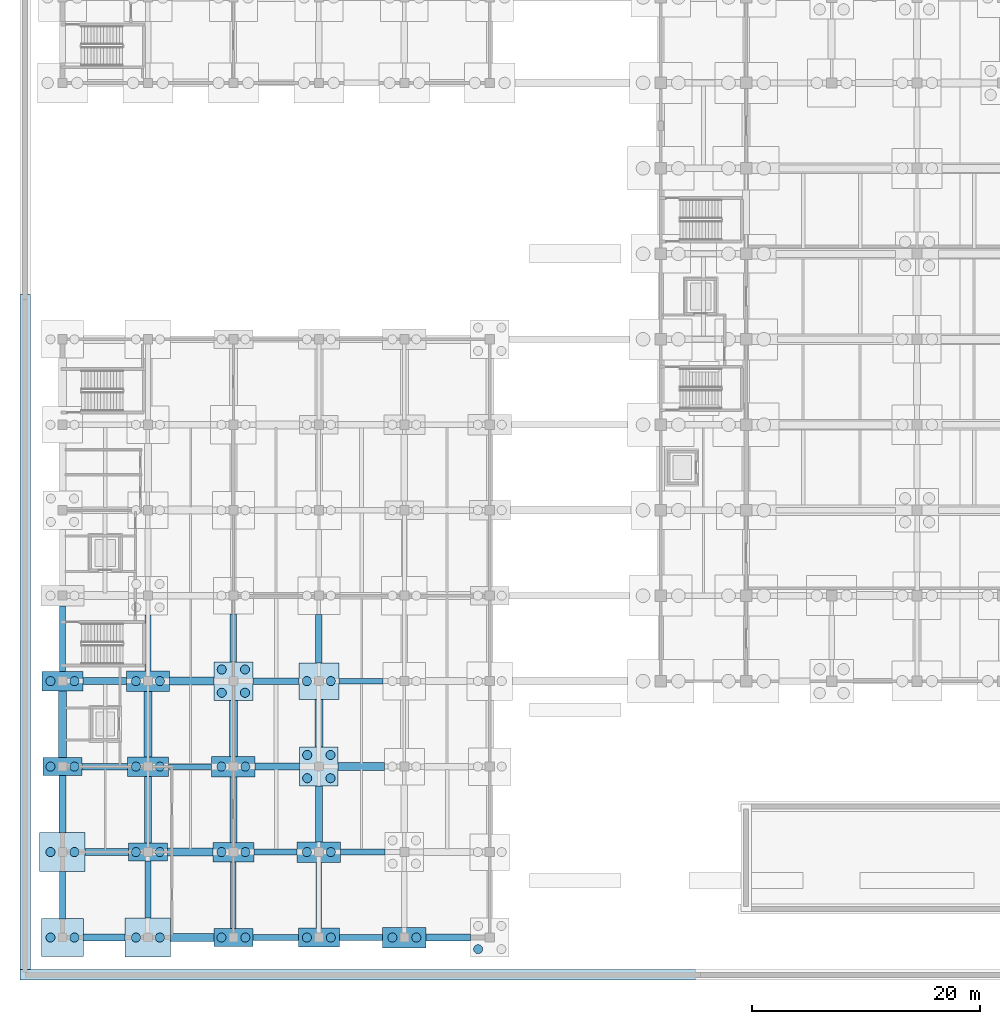
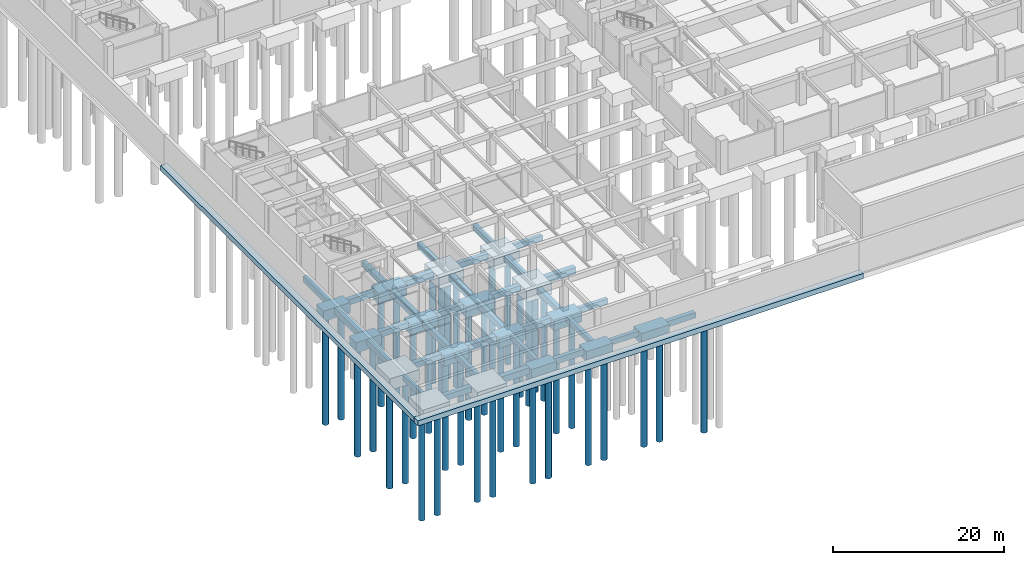
# One storey, part 1 of 38: 52 footings, 39 piles.
"""IFC4 building model written with IfcOpenShell, lengths in metres."""

from ifc_helpers import new_model, si_unit, direction, frame, origin, origin_2d, place, context, subcontext, project, spatial, polyline, rectangle, circle, outline, extrude, material, material_profile, profile_set, type_object, element, save


model = new_model("IFC4")

# Units and contexts
model_context = context("Model", 3, precision=1e-05, world=origin(), true_north=direction((0.0, 1.0)))
body_context = subcontext(model_context, "Body", "Model", "MODEL_VIEW")
ifc_project = project(units=[si_unit("LENGTHUNIT", "METRE"), si_unit("AREAUNIT", "SQUARE_METRE"), si_unit("VOLUMEUNIT", "CUBIC_METRE"), si_unit("PLANEANGLEUNIT", "RADIAN"), si_unit("MASSUNIT", "GRAM", prefix="KILO")], contexts=[model_context])

# Site, building, storey
site_placement = place(None, origin())
site = spatial("IfcSite", under=ifc_project, at=site_placement, CompositionType="ELEMENT")
building_placement = place(site_placement, origin())
building = spatial("IfcBuilding", under=site, at=building_placement, Name="Qasida Concert Hall", CompositionType="ELEMENT")
storey_placement = place(building_placement, frame((0.0, 0.0, -4.800048828125)))
storey = spatial("IfcBuildingStorey", under=building, at=storey_placement, Name="B1", CompositionType="ELEMENT", Elevation=-4.800048828125)

# Footings
ifc_material = material(Name="Concrete C40/50", Category="concrete")
footing_type_1 = type_object("IfcFootingType", Name="FT-GB-1", PredefinedType="FOOTING_BEAM", material=ifc_material)
footing_1_placement = place(storey_placement, frame((0.0, 0.0, -1.169921875)))
element("IfcFooting", 1, at=footing_1_placement, inside=storey, type_object=footing_type_1, Name="Ground tie beam GB-1 004", PredefinedType="FOOTING_BEAM", context=body_context, shape_type="SweptSolid", body=[
    extrude(outline(polyline([(24.300048828125, -0.25), (28.10009765625, -0.25), (28.10009765625, 0.25), (24.300048828125, 0.25), (24.300048828125, -0.25)])), origin(), (0.0, 0.0, 1.0), 0.75),
])
footing_2_placement = place(storey_placement, frame((0.0, 0.0, -1.169921875)))
element("IfcFooting", 2, at=footing_2_placement, inside=storey, type_object=footing_type_1, Name="Ground tie beam GB-1 012", PredefinedType="FOOTING_BEAM", context=body_context, shape_type="SweptSolid", body=[
    extrude(outline(polyline([(24.39990234375, 7.25), (28.300048828125, 7.25), (28.300048828125, 7.75), (24.39990234375, 7.75), (24.39990234375, 7.25)])), origin(), (0.0, 0.0, 1.0), 0.75),
])
footing_3_placement = place(storey_placement, frame((0.0, 0.0, -1.169921875)))
element("IfcFooting", 3, at=footing_3_placement, inside=storey, type_object=footing_type_1, Name="Ground tie beam GB-1 020", PredefinedType="FOOTING_BEAM", context=body_context, shape_type="SweptSolid", body=[
    extrude(outline(polyline([(9.300048828125, 14.75), (13.10009765625, 14.75), (13.10009765625, 15.25), (9.300048828125, 15.25), (9.300048828125, 14.75)])), origin(), (0.0, 0.0, 1.0), 0.75),
])
footing_4_placement = place(storey_placement, frame((0.0, 0.0, -1.169921875)))
element("IfcFooting", 4, at=footing_4_placement, inside=storey, type_object=footing_type_1, Name="Ground tie beam GB-1 032", PredefinedType="FOOTING_BEAM", context=body_context, shape_type="SweptSolid", body=[
    extrude(outline(polyline([(24.25, 22.25), (28.14990234375, 22.25), (28.14990234375, 22.75), (24.25, 22.75), (24.25, 22.25)])), origin(), (0.0, 0.0, 1.0), 0.75),
])
footing_5_placement = place(storey_placement, frame((0.0, 0.0, -1.169921875)))
element("IfcFooting", 5, at=footing_5_placement, inside=storey, type_object=footing_type_1, Name="Ground tie beam GB-1 184", PredefinedType="FOOTING_BEAM", context=body_context, shape_type="SweptSolid", body=[
    extrude(outline(polyline([(-0.25, 1.64990234375), (0.25, 1.64990234375), (0.25, 5.800048828125), (-0.25, 5.800048828125), (-0.25, 1.64990234375)])), origin(), (0.0, 0.0, 1.0), 0.75),
])
footing_6_placement = place(storey_placement, frame((0.0, 0.0, -1.169921875)))
element("IfcFooting", 6, at=footing_6_placement, inside=storey, type_object=footing_type_1, Name="Ground tie beam GB-1 196", PredefinedType="FOOTING_BEAM", context=body_context, shape_type="SweptSolid", body=[
    extrude(outline(polyline([(7.25, 1.699951171875), (7.75, 1.699951171875), (7.75, 6.699951171875), (7.25, 6.699951171875), (7.25, 1.699951171875)])), origin(), (0.0, 0.0, 1.0), 0.75),
])
footing_7_placement = place(storey_placement, frame((0.0, 0.0, -1.169921875)))
element("IfcFooting", 7, at=footing_7_placement, inside=storey, type_object=footing_type_1, Name="Ground tie beam GB-1 208", PredefinedType="FOOTING_BEAM", context=body_context, shape_type="SweptSolid", body=[
    extrude(outline(polyline([(14.75, 0.800048828125), (15.25, 0.800048828125), (15.25, 6.64990234375), (14.75, 6.64990234375), (14.75, 0.800048828125)])), origin(), (0.0, 0.0, 1.0), 0.75),
])
footing_8_placement = place(storey_placement, frame((0.0, 0.0, -1.169921875)))
element("IfcFooting", 8, at=footing_8_placement, inside=storey, type_object=footing_type_1, Name="Ground tie beam GB-1 220", PredefinedType="FOOTING_BEAM", context=body_context, shape_type="SweptSolid", body=[
    extrude(outline(polyline([(22.25, 0.85009765625), (22.75, 0.85009765625), (22.75, 6.60009765625), (22.25, 6.60009765625), (22.25, 0.85009765625)])), origin(), (0.0, 0.0, 1.0), 0.75),
])
footing_type_2 = type_object("IfcFootingType", Name="FT-GB-2", PredefinedType="FOOTING_BEAM", material=ifc_material)
footing_9_placement = place(storey_placement, frame((0.0, 0.0, -1.219970703125)))
element("IfcFooting", 9, at=footing_9_placement, inside=storey, type_object=footing_type_2, Name="Ground tie beam GB-2 001", PredefinedType="FOOTING_BEAM", context=body_context, shape_type="SweptSolid", body=[
    extrude(outline(polyline([(1.85009765625, -0.300048828125), (5.5, -0.300048828125), (5.5, 0.300048828125), (1.85009765625, 0.300048828125), (1.85009765625, -0.300048828125)])), origin(), (0.0, 0.0, 1.0), 0.800048828125),
])
footing_10_placement = place(storey_placement, frame((0.0, 0.0, -1.219970703125)))
element("IfcFooting", 10, at=footing_10_placement, inside=storey, type_object=footing_type_2, Name="Ground tie beam GB-2 005", PredefinedType="FOOTING_BEAM", context=body_context, shape_type="SweptSolid", body=[
    extrude(outline(polyline([(31.89990234375, -0.300048828125), (35.800048828125, -0.300048828125), (35.800048828125, 0.300048828125), (31.89990234375, 0.300048828125), (31.89990234375, -0.300048828125)])), origin(), (0.0, 0.0, 1.0), 0.800048828125),
])
footing_11_placement = place(storey_placement, frame((0.0, 0.0, -1.219970703125)))
element("IfcFooting", 11, at=footing_11_placement, inside=storey, type_object=footing_type_2, Name="Ground tie beam GB-2 009", PredefinedType="FOOTING_BEAM", context=body_context, shape_type="SweptSolid", body=[
    extrude(outline(polyline([(2.0, 7.199951171875), (5.800048828125, 7.199951171875), (5.800048828125, 7.800048828125), (2.0, 7.800048828125), (2.0, 7.199951171875)])), origin(), (0.0, 0.0, 1.0), 0.800048828125),
])
footing_12_placement = place(storey_placement, frame((0.0, 0.0, -1.219970703125)))
element("IfcFooting", 12, at=footing_12_placement, inside=storey, type_object=footing_type_2, Name="Ground tie beam GB-2 021", PredefinedType="FOOTING_BEAM", context=body_context, shape_type="SweptSolid", body=[
    extrude(outline(polyline([(16.89990234375, 14.699951171875), (20.800048828125, 14.699951171875), (20.800048828125, 15.300048828125), (16.89990234375, 15.300048828125), (16.89990234375, 14.699951171875)])), origin(), (0.0, 0.0, 1.0), 0.800048828125),
])
footing_13_placement = place(storey_placement, frame((0.0, 0.0, -1.219970703125)))
element("IfcFooting", 13, at=footing_13_placement, inside=storey, type_object=footing_type_2, Name="Ground tie beam GB-2 029", PredefinedType="FOOTING_BEAM", context=body_context, shape_type="SweptSolid", body=[
    extrude(outline(polyline([(1.800048828125, 22.199951171875), (5.60009765625, 22.199951171875), (5.60009765625, 22.800048828125), (1.800048828125, 22.800048828125), (1.800048828125, 22.199951171875)])), origin(), (0.0, 0.0, 1.0), 0.800048828125),
])
footing_14_placement = place(storey_placement, frame((0.0, 0.0, -1.219970703125)))
element("IfcFooting", 14, at=footing_14_placement, inside=storey, type_object=footing_type_2, Name="Ground tie beam GB-2 185", PredefinedType="FOOTING_BEAM", context=body_context, shape_type="SweptSolid", body=[
    extrude(outline(polyline([(-0.300048828125, 9.199951171875), (0.300048828125, 9.199951171875), (0.300048828125, 14.199951171875), (-0.300048828125, 14.199951171875), (-0.300048828125, 9.199951171875)])), origin(), (0.0, 0.0, 1.0), 0.800048828125),
])
footing_15_placement = place(storey_placement, frame((0.0, 0.0, -1.219970703125)))
element("IfcFooting", 15, at=footing_15_placement, inside=storey, type_object=footing_type_2, Name="Ground tie beam GB-2 197", PredefinedType="FOOTING_BEAM", context=body_context, shape_type="SweptSolid", body=[
    extrude(outline(polyline([(7.199951171875, 8.300048828125), (7.800048828125, 8.300048828125), (7.800048828125, 14.14990234375), (7.199951171875, 14.14990234375), (7.199951171875, 8.300048828125)])), origin(), (0.0, 0.0, 1.0), 0.800048828125),
])
footing_16_placement = place(storey_placement, frame((0.0, 0.0, -1.219970703125)))
element("IfcFooting", 16, at=footing_16_placement, inside=storey, type_object=footing_type_2, Name="Ground tie beam GB-2 209", PredefinedType="FOOTING_BEAM", context=body_context, shape_type="SweptSolid", body=[
    extrude(outline(polyline([(14.699951171875, 8.35009765625), (15.300048828125, 8.35009765625), (15.300048828125, 14.10009765625), (14.699951171875, 14.10009765625), (14.699951171875, 8.35009765625)])), origin(), (0.0, 0.0, 1.0), 0.800048828125),
])
footing_17_placement = place(storey_placement, frame((0.0, 0.0, -1.219970703125)))
element("IfcFooting", 17, at=footing_17_placement, inside=storey, type_object=footing_type_2, Name="Ground tie beam GB-2 221", PredefinedType="FOOTING_BEAM", context=body_context, shape_type="SweptSolid", body=[
    extrude(outline(polyline([(22.199951171875, 8.39990234375), (22.800048828125, 8.39990234375), (22.800048828125, 13.300048828125), (22.199951171875, 13.300048828125), (22.199951171875, 8.39990234375)])), origin(), (0.0, 0.0, 1.0), 0.800048828125),
])
footing_type_3 = type_object("IfcFootingType", Name="FT-GB-3", PredefinedType="FOOTING_BEAM", material=ifc_material)
footing_18_placement = place(storey_placement, frame((0.0, 0.0, -1.320068359375)))
element("IfcFooting", 18, at=footing_18_placement, inside=storey, type_object=footing_type_3, Name="Ground tie beam GB-3 002", PredefinedType="FOOTING_BEAM", context=body_context, shape_type="SweptSolid", body=[
    extrude(outline(polyline([(9.5, -0.35009765625), (13.300048828125, -0.35009765625), (13.300048828125, 0.35009765625), (9.5, 0.35009765625), (9.5, -0.35009765625)])), origin(), (0.0, 0.0, 1.0), 0.900146484375),
])
footing_19_placement = place(storey_placement, frame((0.0, 0.0, -1.320068359375)))
element("IfcFooting", 19, at=footing_19_placement, inside=storey, type_object=footing_type_3, Name="Ground tie beam GB-3 010", PredefinedType="FOOTING_BEAM", context=body_context, shape_type="SweptSolid", body=[
    extrude(outline(polyline([(9.199951171875, 7.14990234375), (13.199951171875, 7.14990234375), (13.199951171875, 7.85009765625), (9.199951171875, 7.85009765625), (9.199951171875, 7.14990234375)])), origin(), (0.0, 0.0, 1.0), 0.900146484375),
])
footing_20_placement = place(storey_placement, frame((0.0, 0.0, -1.320068359375)))
element("IfcFooting", 20, at=footing_20_placement, inside=storey, type_object=footing_type_3, Name="Ground tie beam GB-3 022", PredefinedType="FOOTING_BEAM", context=body_context, shape_type="SweptSolid", body=[
    extrude(outline(polyline([(24.199951171875, 14.64990234375), (28.25, 14.64990234375), (28.25, 15.35009765625), (24.199951171875, 15.35009765625), (24.199951171875, 14.64990234375)])), origin(), (0.0, 0.0, 1.0), 0.900146484375),
])
footing_21_placement = place(storey_placement, frame((0.0, 0.0, -1.320068359375)))
element("IfcFooting", 21, at=footing_21_placement, inside=storey, type_object=footing_type_3, Name="Ground tie beam GB-3 030", PredefinedType="FOOTING_BEAM", context=body_context, shape_type="SweptSolid", body=[
    extrude(outline(polyline([(9.39990234375, 22.14990234375), (13.300048828125, 22.14990234375), (13.300048828125, 22.85009765625), (9.39990234375, 22.85009765625), (9.39990234375, 22.14990234375)])), origin(), (0.0, 0.0, 1.0), 0.900146484375),
])
footing_22_placement = place(storey_placement, frame((0.0, 0.0, -1.320068359375)))
element("IfcFooting", 22, at=footing_22_placement, inside=storey, type_object=footing_type_3, Name="Ground tie beam GB-3 186", PredefinedType="FOOTING_BEAM", context=body_context, shape_type="SweptSolid", body=[
    extrude(outline(polyline([(-0.35009765625, 15.800048828125), (0.35009765625, 15.800048828125), (0.35009765625, 21.64990234375), (-0.35009765625, 21.64990234375), (-0.35009765625, 15.800048828125)])), origin(), (0.0, 0.0, 1.0), 0.900146484375),
])
footing_23_placement = place(storey_placement, frame((0.0, 0.0, -1.320068359375)))
element("IfcFooting", 23, at=footing_23_placement, inside=storey, type_object=footing_type_3, Name="Ground tie beam GB-3 198", PredefinedType="FOOTING_BEAM", context=body_context, shape_type="SweptSolid", body=[
    extrude(outline(polyline([(7.14990234375, 15.85009765625), (7.85009765625, 15.85009765625), (7.85009765625, 21.60009765625), (7.14990234375, 21.60009765625), (7.14990234375, 15.85009765625)])), origin(), (0.0, 0.0, 1.0), 0.900146484375),
])
footing_24_placement = place(storey_placement, frame((0.0, 0.0, -1.320068359375)))
element("IfcFooting", 24, at=footing_24_placement, inside=storey, type_object=footing_type_3, Name="Ground tie beam GB-3 210", PredefinedType="FOOTING_BEAM", context=body_context, shape_type="SweptSolid", body=[
    extrude(outline(polyline([(14.64990234375, 15.89990234375), (15.35009765625, 15.89990234375), (15.35009765625, 20.800048828125), (14.64990234375, 20.800048828125), (14.64990234375, 15.89990234375)])), origin(), (0.0, 0.0, 1.0), 0.900146484375),
])
footing_25_placement = place(storey_placement, frame((0.0, 0.0, -1.320068359375)))
element("IfcFooting", 25, at=footing_25_placement, inside=storey, type_object=footing_type_3, Name="Ground tie beam GB-3 222", PredefinedType="FOOTING_BEAM", context=body_context, shape_type="SweptSolid", body=[
    extrude(outline(polyline([(22.14990234375, 16.699951171875), (22.85009765625, 16.699951171875), (22.85009765625, 20.89990234375), (22.14990234375, 20.89990234375), (22.14990234375, 16.699951171875)])), origin(), (0.0, 0.0, 1.0), 0.900146484375),
])
footing_type_4 = type_object("IfcFootingType", Name="FT-GB-4", PredefinedType="FOOTING_BEAM", material=ifc_material)
footing_26_placement = place(storey_placement, frame((0.0, 0.0, -1.27001953125)))
element("IfcFooting", 26, at=footing_26_placement, inside=storey, type_object=footing_type_4, Name="Ground tie beam GB-4 003", PredefinedType="FOOTING_BEAM", context=body_context, shape_type="SweptSolid", body=[
    extrude(outline(polyline([(16.699951171875, -0.27490234375), (20.699951171875, -0.27490234375), (20.699951171875, 0.27490234375), (16.699951171875, 0.27490234375), (16.699951171875, -0.27490234375)])), origin(), (0.0, 0.0, 1.0), 0.85009765625),
])
footing_27_placement = place(storey_placement, frame((0.0, 0.0, -1.27001953125)))
element("IfcFooting", 27, at=footing_27_placement, inside=storey, type_object=footing_type_4, Name="Ground tie beam GB-4 011", PredefinedType="FOOTING_BEAM", context=body_context, shape_type="SweptSolid", body=[
    extrude(outline(polyline([(16.800048828125, 7.22509765625), (20.60009765625, 7.22509765625), (20.60009765625, 7.77490234375), (16.800048828125, 7.77490234375), (16.800048828125, 7.22509765625)])), origin(), (0.0, 0.0, 1.0), 0.85009765625),
])
footing_28_placement = place(storey_placement, frame((0.0, 0.0, -1.27001953125)))
element("IfcFooting", 28, at=footing_28_placement, inside=storey, type_object=footing_type_4, Name="Ground tie beam GB-4 019", PredefinedType="FOOTING_BEAM", context=body_context, shape_type="SweptSolid", body=[
    extrude(outline(polyline([(1.699951171875, 14.72509765625), (5.699951171875, 14.72509765625), (5.699951171875, 15.27490234375), (1.699951171875, 15.27490234375), (1.699951171875, 14.72509765625)])), origin(), (0.0, 0.0, 1.0), 0.85009765625),
])
footing_29_placement = place(storey_placement, frame((0.0, 0.0, -1.27001953125)))
element("IfcFooting", 29, at=footing_29_placement, inside=storey, type_object=footing_type_4, Name="Ground tie beam GB-4 031", PredefinedType="FOOTING_BEAM", context=body_context, shape_type="SweptSolid", body=[
    extrude(outline(polyline([(16.699951171875, 22.22509765625), (20.75, 22.22509765625), (20.75, 22.77490234375), (16.699951171875, 22.77490234375), (16.699951171875, 22.22509765625)])), origin(), (0.0, 0.0, 1.0), 0.85009765625),
])
footing_30_placement = place(storey_placement, frame((0.0, 0.0, -1.27001953125)))
element("IfcFooting", 30, at=footing_30_placement, inside=storey, type_object=footing_type_4, Name="Ground tie beam GB-4 187", PredefinedType="FOOTING_BEAM", context=body_context, shape_type="SweptSolid", body=[
    extrude(outline(polyline([(-0.27490234375, 23.35009765625), (0.27490234375, 23.35009765625), (0.27490234375, 29.10009765625), (-0.27490234375, 29.10009765625), (-0.27490234375, 23.35009765625)])), origin(), (0.0, 0.0, 1.0), 0.85009765625),
])
footing_31_placement = place(storey_placement, frame((0.0, 0.0, -1.27001953125)))
element("IfcFooting", 31, at=footing_31_placement, inside=storey, type_object=footing_type_4, Name="Ground tie beam GB-4 199", PredefinedType="FOOTING_BEAM", context=body_context, shape_type="SweptSolid", body=[
    extrude(outline(polyline([(7.22509765625, 23.39990234375), (7.77490234375, 23.39990234375), (7.77490234375, 28.300048828125), (7.22509765625, 28.300048828125), (7.22509765625, 23.39990234375)])), origin(), (0.0, 0.0, 1.0), 0.85009765625),
])
footing_32_placement = place(storey_placement, frame((0.0, 0.0, -1.27001953125)))
element("IfcFooting", 32, at=footing_32_placement, inside=storey, type_object=footing_type_4, Name="Ground tie beam GB-4 211", PredefinedType="FOOTING_BEAM", context=body_context, shape_type="SweptSolid", body=[
    extrude(outline(polyline([(14.72509765625, 24.199951171875), (15.27490234375, 24.199951171875), (15.27490234375, 28.39990234375), (14.72509765625, 28.39990234375), (14.72509765625, 24.199951171875)])), origin(), (0.0, 0.0, 1.0), 0.85009765625),
])
footing_33_placement = place(storey_placement, frame((0.0, 0.0, -1.27001953125)))
element("IfcFooting", 33, at=footing_33_placement, inside=storey, type_object=footing_type_4, Name="Ground tie beam GB-4 223", PredefinedType="FOOTING_BEAM", context=body_context, shape_type="SweptSolid", body=[
    extrude(outline(polyline([(22.22509765625, 24.10009765625), (22.77490234375, 24.10009765625), (22.77490234375, 28.35009765625), (22.22509765625, 28.35009765625), (22.22509765625, 24.10009765625)])), origin(), (0.0, 0.0, 1.0), 0.85009765625),
])
footing_type_5 = type_object("IfcFootingType", Name="FT-PC-2C", PredefinedType="PILE_CAP", material=ifc_material)
for number, where, z_axis, x_axis, name in (
    (34, (0.0, 15.0, -1.919921875), (0.0, 0.0, 1.0), (1.0, 0.0, 0.0), "Pile cap PC-2C 091"),
    (35, (7.5, 7.5, -1.919921875), (0.0, 0.0, 1.0), (1.0, 0.0, 0.0), "Pile cap PC-2C 098"),
    (36, (15.0, 0.0, -1.919921875), (0.0, 0.0, 1.0), (1.0, 0.0, 0.0), "Pile cap PC-2C 105"),
):
    element("IfcFooting", number, at=place(storey_placement, frame(where, z_axis=z_axis, x_axis=x_axis)), inside=storey, type_object=footing_type_5, Name=name, PredefinedType="PILE_CAP", context=body_context, shape_type="SweptSolid", body=[
        extrude(rectangle(XDim=3.39990234375, YDim=1.60009765625, at=origin_2d()), origin(), (0.0, 0.0, 1.0), 1.5),
    ])
footing_type_6 = type_object("IfcFootingType", Name="FT-PC-2D", PredefinedType="PILE_CAP", material=ifc_material)
for number, where, z_axis, x_axis, name in (
    (37, (0.0, 22.5, -1.919921875), (0.0, 0.0, 1.0), (1.0, 0.0, 0.0), "Pile cap PC-2D 092"),
    (38, (7.5, 15.0, -1.919921875), (0.0, 0.0, 1.0), (1.0, 0.0, 0.0), "Pile cap PC-2D 099"),
    (39, (15.0, 7.5, -1.919921875), (0.0, 0.0, 1.0), (1.0, 0.0, 0.0), "Pile cap PC-2D 106"),
    (40, (22.5, 0.0, -1.919921875), (0.0, 0.0, 1.0), (1.0, 0.0, 0.0), "Pile cap PC-2D 113"),
):
    element("IfcFooting", number, at=place(storey_placement, frame(where, z_axis=z_axis, x_axis=x_axis)), inside=storey, type_object=footing_type_6, Name=name, PredefinedType="PILE_CAP", context=body_context, shape_type="SweptSolid", body=[
        extrude(rectangle(XDim=3.60009765625, YDim=1.699951171875, at=origin_2d()), origin(), (0.0, 0.0, 1.0), 1.5),
    ])
footing_type_7 = type_object("IfcFootingType", Name="FT-PC-2E", PredefinedType="PILE_CAP", material=ifc_material)
for number, where, z_axis, x_axis, name in (
    (41, (7.5, 22.5, -1.97021484375), (0.0, 0.0, 1.0), (1.0, 0.0, 0.0), "Pile cap PC-2E 100"),
    (42, (15.0, 15.0, -1.97021484375), (0.0, 0.0, 1.0), (1.0, 0.0, 0.0), "Pile cap PC-2E 107"),
    (43, (22.5, 7.5, -1.97021484375), (0.0, 0.0, 1.0), (1.0, 0.0, 0.0), "Pile cap PC-2E 114"),
    (44, (30.0, 0.0, -1.97021484375), (0.0, 0.0, 1.0), (1.0, 0.0, 0.0), "Pile cap PC-2E 121"),
):
    element("IfcFooting", number, at=place(storey_placement, frame(where, z_axis=z_axis, x_axis=x_axis)), inside=storey, type_object=footing_type_7, Name=name, PredefinedType="PILE_CAP", context=body_context, shape_type="SweptSolid", body=[
        extrude(rectangle(XDim=3.800048828125, YDim=1.800048828125, at=origin_2d()), origin(), (0.0, 0.0, 1.0), 1.550048828125),
    ])
footing_type_8 = type_object("IfcFootingType", Name="FT-PC-3B", PredefinedType="PILE_CAP", material=ifc_material)
footing_34_placement = place(storey_placement, frame((22.5, 22.5, -1.97021484375), z_axis=(0.0, 0.0, 1.0), x_axis=(1.0, 0.0, 0.0)))
element("IfcFooting", 45, at=footing_34_placement, inside=storey, type_object=footing_type_8, Name="Pile cap PC-3B 116", PredefinedType="PILE_CAP", context=body_context, shape_type="SweptSolid", body=[
    extrude(rectangle(XDim=3.5, YDim=3.199951171875, at=origin_2d()), origin(), (0.0, 0.0, 1.0), 1.550048828125),
])
footing_type_9 = type_object("IfcFootingType", Name="FT-PC-3C", PredefinedType="PILE_CAP", material=ifc_material)
footing_35_placement = place(storey_placement, frame((0.0, 0.0, -2.02001953125), z_axis=(0.0, 0.0, 1.0), x_axis=(1.0, 0.0, 0.0)))
element("IfcFooting", 46, at=footing_35_placement, inside=storey, type_object=footing_type_9, Name="Pile cap PC-3C 089", PredefinedType="PILE_CAP", context=body_context, shape_type="SweptSolid", body=[
    extrude(rectangle(XDim=3.699951171875, YDim=3.300048828125, at=origin_2d()), origin(), (0.0, 0.0, 1.0), 1.60009765625),
])
footing_type_10 = type_object("IfcFootingType", Name="FT-PC-4B", PredefinedType="PILE_CAP", material=ifc_material)
for number, where, z_axis, x_axis, name in (
    (47, (15.0, 22.5, -2.02001953125), (0.0, 0.0, 1.0), (1.0, 0.0, 0.0), "Pile cap PC-4B 108"),
    (48, (22.5, 15.0, -2.02001953125), (0.0, 0.0, 1.0), (1.0, 0.0, 0.0), "Pile cap PC-4B 115"),
):
    element("IfcFooting", number, at=place(storey_placement, frame(where, z_axis=z_axis, x_axis=x_axis)), inside=storey, type_object=footing_type_10, Name=name, PredefinedType="PILE_CAP", context=body_context, shape_type="SweptSolid", body=[
        extrude(rectangle(XDim=3.39990234375, YDim=3.39990234375, at=origin_2d()), origin(), (0.0, 0.0, 1.0), 1.60009765625),
    ])
footing_type_11 = type_object("IfcFootingType", Name="FT-PC-4E", PredefinedType="PILE_CAP", material=ifc_material)
for number, where, z_axis, x_axis, name in (
    (49, (0.0, 7.5, -2.06982421875), (0.0, 0.0, 1.0), (1.0, 0.0, 0.0), "Pile cap PC-4E 090"),
    (50, (7.5, 0.0, -2.06982421875), (0.0, 0.0, 1.0), (1.0, 0.0, 0.0), "Pile cap PC-4E 097"),
):
    element("IfcFooting", number, at=place(storey_placement, frame(where, z_axis=z_axis, x_axis=x_axis)), inside=storey, type_object=footing_type_11, Name=name, PredefinedType="PILE_CAP", context=body_context, shape_type="SweptSolid", body=[
        extrude(rectangle(XDim=4.0, YDim=3.39990234375, at=origin_2d()), origin(), (0.0, 0.0, 1.0), 1.64990234375),
    ])
footing_type_12 = type_object("IfcFootingType", Name="FT-SF-2A", PredefinedType="STRIP_FOOTING", material=ifc_material)
footing_36_placement = place(storey_placement, frame((0.0, 0.0, -0.75)))
element("IfcFooting", 51, at=footing_36_placement, inside=storey, type_object=footing_type_12, Name="B1 plaza plinth strip footing PLW-S1", PredefinedType="STRIP_FOOTING", context=body_context, shape_type="SweptSolid", body=[
    extrude(outline(polyline([(-3.72509765625, -3.72509765625), (56.449951171875, -3.72509765625), (56.449951171875, -2.824951171875), (-3.72509765625, -2.824951171875), (-3.72509765625, -3.72509765625)])), origin(), (0.0, 0.0, 1.0), 0.75),
])
footing_37_placement = place(storey_placement, frame((0.0, 0.0, -0.75)))
element("IfcFooting", 52, at=footing_37_placement, inside=storey, type_object=footing_type_12, Name="B1 plaza plinth strip footing PLW-W1", PredefinedType="STRIP_FOOTING", context=body_context, shape_type="SweptSolid", body=[
    extrude(outline(polyline([(-3.72509765625, -3.5), (-2.824951171875, -3.5), (-2.824951171875, 56.449951171875), (-3.72509765625, 56.449951171875), (-3.72509765625, -3.5)])), origin(), (0.0, 0.0, 1.0), 0.75),
])

# Piles
ifc_material_profile = material_profile(ifc_material, circle(Radius=0.39990234375, at=origin_2d()), Name="BORED PILE D800")
ifc_profile_set = profile_set([ifc_material_profile], Name="Concrete C40/50")
pile_type = type_object("IfcPileType", Name="PL-BORED-800", PredefinedType="BORED", material=ifc_profile_set)
for number, where, z_axis, x_axis, name in (
    (53, (-1.050048828125, 0.0, -1.919921875), (0.0, 0.0, -1.0), (1.0, 0.0, 0.0), "Bored pile 0203"),
    (54, (1.050048828125, 0.0, -1.919921875), (0.0, 0.0, -1.0), (1.0, 0.0, 0.0), "Bored pile 0204"),
):
    element("IfcPile", number, at=place(storey_placement, frame(where, z_axis=z_axis, x_axis=x_axis)), inside=storey, type_object=pile_type, Name=name, PredefinedType="BORED", context=body_context, shape_type="SweptSolid", body=[
        extrude(circle(Radius=0.39990234375, at=origin_2d()), origin(), (0.0, 0.0, 1.0), 15.280029296875),
    ])
for number, where, z_axis, x_axis, name in (
    (55, (-1.050048828125, 7.5, -1.969970703125), (0.0, 0.0, -1.0), (1.0, 0.0, 0.0), "Bored pile 0205"),
    (56, (1.050048828125, 7.5, -1.969970703125), (0.0, 0.0, -1.0), (1.0, 0.0, 0.0), "Bored pile 0206"),
):
    element("IfcPile", number, at=place(storey_placement, frame(where, z_axis=z_axis, x_axis=x_axis)), inside=storey, type_object=pile_type, Name=name, PredefinedType="BORED", context=body_context, shape_type="SweptSolid", body=[
        extrude(circle(Radius=0.39990234375, at=origin_2d()), origin(), (0.0, 0.0, 1.0), 15.22998046875),
    ])
for number, where, z_axis, x_axis, name in (
    (57, (-1.050048828125, 15.0, -1.820068359375), (0.0, 0.0, -1.0), (1.0, 0.0, 0.0), "Bored pile 0207"),
    (58, (1.050048828125, 15.0, -1.820068359375), (0.0, 0.0, -1.0), (1.0, 0.0, 0.0), "Bored pile 0208"),
    (59, (-1.050048828125, 22.5, -1.820068359375), (0.0, 0.0, -1.0), (1.0, 0.0, 0.0), "Bored pile 0209"),
    (60, (1.050048828125, 22.5, -1.820068359375), (0.0, 0.0, -1.0), (1.0, 0.0, 0.0), "Bored pile 0210"),
):
    element("IfcPile", number, at=place(storey_placement, frame(where, z_axis=z_axis, x_axis=x_axis)), inside=storey, type_object=pile_type, Name=name, PredefinedType="BORED", context=body_context, shape_type="SweptSolid", body=[
        extrude(circle(Radius=0.39990234375, at=origin_2d()), origin(), (0.0, 0.0, 1.0), 15.3798828125),
    ])
for number, where, z_axis, x_axis, name in (
    (61, (6.449951171875, 0.0, -1.969970703125), (0.0, 0.0, -1.0), (1.0, 0.0, 0.0), "Bored pile 0221"),
    (62, (8.550048828125, 0.0, -1.969970703125), (0.0, 0.0, -1.0), (1.0, 0.0, 0.0), "Bored pile 0222"),
):
    element("IfcPile", number, at=place(storey_placement, frame(where, z_axis=z_axis, x_axis=x_axis)), inside=storey, type_object=pile_type, Name=name, PredefinedType="BORED", context=body_context, shape_type="SweptSolid", body=[
        extrude(circle(Radius=0.39990234375, at=origin_2d()), origin(), (0.0, 0.0, 1.0), 15.22998046875),
    ])
for number, where, z_axis, x_axis, name in (
    (63, (6.449951171875, 7.5, -1.820068359375), (0.0, 0.0, -1.0), (1.0, 0.0, 0.0), "Bored pile 0223"),
    (64, (8.550048828125, 7.5, -1.820068359375), (0.0, 0.0, -1.0), (1.0, 0.0, 0.0), "Bored pile 0224"),
    (65, (6.449951171875, 15.0, -1.820068359375), (0.0, 0.0, -1.0), (1.0, 0.0, 0.0), "Bored pile 0225"),
    (66, (8.550048828125, 15.0, -1.820068359375), (0.0, 0.0, -1.0), (1.0, 0.0, 0.0), "Bored pile 0226"),
):
    element("IfcPile", number, at=place(storey_placement, frame(where, z_axis=z_axis, x_axis=x_axis)), inside=storey, type_object=pile_type, Name=name, PredefinedType="BORED", context=body_context, shape_type="SweptSolid", body=[
        extrude(circle(Radius=0.39990234375, at=origin_2d()), origin(), (0.0, 0.0, 1.0), 15.3798828125),
    ])
for number, where, z_axis, x_axis, name in (
    (67, (6.449951171875, 22.5, -1.869873046875), (0.0, 0.0, -1.0), (1.0, 0.0, 0.0), "Bored pile 0227"),
    (68, (8.550048828125, 22.5, -1.869873046875), (0.0, 0.0, -1.0), (1.0, 0.0, 0.0), "Bored pile 0228"),
):
    element("IfcPile", number, at=place(storey_placement, frame(where, z_axis=z_axis, x_axis=x_axis)), inside=storey, type_object=pile_type, Name=name, PredefinedType="BORED", context=body_context, shape_type="SweptSolid", body=[
        extrude(circle(Radius=0.39990234375, at=origin_2d()), origin(), (0.0, 0.0, 1.0), 15.330078125),
    ])
for number, where, z_axis, x_axis, name in (
    (69, (13.949951171875, 0.0, -1.820068359375), (0.0, 0.0, -1.0), (1.0, 0.0, 0.0), "Bored pile 0239"),
    (70, (16.050048828125, 0.0, -1.820068359375), (0.0, 0.0, -1.0), (1.0, 0.0, 0.0), "Bored pile 0240"),
    (71, (13.949951171875, 7.5, -1.820068359375), (0.0, 0.0, -1.0), (1.0, 0.0, 0.0), "Bored pile 0241"),
    (72, (16.050048828125, 7.5, -1.820068359375), (0.0, 0.0, -1.0), (1.0, 0.0, 0.0), "Bored pile 0242"),
):
    element("IfcPile", number, at=place(storey_placement, frame(where, z_axis=z_axis, x_axis=x_axis)), inside=storey, type_object=pile_type, Name=name, PredefinedType="BORED", context=body_context, shape_type="SweptSolid", body=[
        extrude(circle(Radius=0.39990234375, at=origin_2d()), origin(), (0.0, 0.0, 1.0), 15.3798828125),
    ])
for number, where, z_axis, x_axis, name in (
    (73, (13.949951171875, 15.0, -1.869873046875), (0.0, 0.0, -1.0), (1.0, 0.0, 0.0), "Bored pile 0243"),
    (74, (16.050048828125, 15.0, -1.869873046875), (0.0, 0.0, -1.0), (1.0, 0.0, 0.0), "Bored pile 0244"),
):
    element("IfcPile", number, at=place(storey_placement, frame(where, z_axis=z_axis, x_axis=x_axis)), inside=storey, type_object=pile_type, Name=name, PredefinedType="BORED", context=body_context, shape_type="SweptSolid", body=[
        extrude(circle(Radius=0.39990234375, at=origin_2d()), origin(), (0.0, 0.0, 1.0), 15.330078125),
    ])
for number, where, z_axis, x_axis, name in (
    (75, (13.97998046875, 21.47998046875, -1.919921875), (0.0, 0.0, -1.0), (1.0, 0.0, 0.0), "Bored pile 0245"),
    (76, (16.02001953125, 21.47998046875, -1.919921875), (0.0, 0.0, -1.0), (1.0, 0.0, 0.0), "Bored pile 0246"),
    (77, (13.97998046875, 23.52001953125, -1.919921875), (0.0, 0.0, -1.0), (1.0, 0.0, 0.0), "Bored pile 0247"),
    (78, (16.02001953125, 23.52001953125, -1.919921875), (0.0, 0.0, -1.0), (1.0, 0.0, 0.0), "Bored pile 0248"),
):
    element("IfcPile", number, at=place(storey_placement, frame(where, z_axis=z_axis, x_axis=x_axis)), inside=storey, type_object=pile_type, Name=name, PredefinedType="BORED", context=body_context, shape_type="SweptSolid", body=[
        extrude(circle(Radius=0.39990234375, at=origin_2d()), origin(), (0.0, 0.0, 1.0), 15.280029296875),
    ])
for number, where, z_axis, x_axis, name in (
    (79, (21.449951171875, 0.0, -1.820068359375), (0.0, 0.0, -1.0), (1.0, 0.0, 0.0), "Bored pile 0257"),
    (80, (23.550048828125, 0.0, -1.820068359375), (0.0, 0.0, -1.0), (1.0, 0.0, 0.0), "Bored pile 0258"),
):
    element("IfcPile", number, at=place(storey_placement, frame(where, z_axis=z_axis, x_axis=x_axis)), inside=storey, type_object=pile_type, Name=name, PredefinedType="BORED", context=body_context, shape_type="SweptSolid", body=[
        extrude(circle(Radius=0.39990234375, at=origin_2d()), origin(), (0.0, 0.0, 1.0), 15.3798828125),
    ])
for number, where, z_axis, x_axis, name in (
    (81, (21.449951171875, 7.5, -1.869873046875), (0.0, 0.0, -1.0), (1.0, 0.0, 0.0), "Bored pile 0259"),
    (82, (23.550048828125, 7.5, -1.869873046875), (0.0, 0.0, -1.0), (1.0, 0.0, 0.0), "Bored pile 0260"),
):
    element("IfcPile", number, at=place(storey_placement, frame(where, z_axis=z_axis, x_axis=x_axis)), inside=storey, type_object=pile_type, Name=name, PredefinedType="BORED", context=body_context, shape_type="SweptSolid", body=[
        extrude(circle(Radius=0.39990234375, at=origin_2d()), origin(), (0.0, 0.0, 1.0), 15.330078125),
    ])
for number, where, z_axis, x_axis, name in (
    (83, (21.47998046875, 13.97998046875, -1.919921875), (0.0, 0.0, -1.0), (1.0, 0.0, 0.0), "Bored pile 0261"),
    (84, (23.52001953125, 13.97998046875, -1.919921875), (0.0, 0.0, -1.0), (1.0, 0.0, 0.0), "Bored pile 0262"),
    (85, (21.47998046875, 16.02001953125, -1.919921875), (0.0, 0.0, -1.0), (1.0, 0.0, 0.0), "Bored pile 0263"),
    (86, (23.52001953125, 16.02001953125, -1.919921875), (0.0, 0.0, -1.0), (1.0, 0.0, 0.0), "Bored pile 0264"),
):
    element("IfcPile", number, at=place(storey_placement, frame(where, z_axis=z_axis, x_axis=x_axis)), inside=storey, type_object=pile_type, Name=name, PredefinedType="BORED", context=body_context, shape_type="SweptSolid", body=[
        extrude(circle(Radius=0.39990234375, at=origin_2d()), origin(), (0.0, 0.0, 1.0), 15.280029296875),
    ])
for number, where, z_axis, x_axis, name in (
    (87, (21.449951171875, 22.5, -1.869873046875), (0.0, 0.0, -1.0), (1.0, 0.0, 0.0), "Bored pile 0265"),
    (88, (23.550048828125, 22.5, -1.869873046875), (0.0, 0.0, -1.0), (1.0, 0.0, 0.0), "Bored pile 0266"),
    (89, (28.949951171875, 0.0, -1.869873046875), (0.0, 0.0, -1.0), (1.0, 0.0, 0.0), "Bored pile 0275"),
    (90, (31.050048828125, 0.0, -1.869873046875), (0.0, 0.0, -1.0), (1.0, 0.0, 0.0), "Bored pile 0276"),
):
    element("IfcPile", number, at=place(storey_placement, frame(where, z_axis=z_axis, x_axis=x_axis)), inside=storey, type_object=pile_type, Name=name, PredefinedType="BORED", context=body_context, shape_type="SweptSolid", body=[
        extrude(circle(Radius=0.39990234375, at=origin_2d()), origin(), (0.0, 0.0, 1.0), 15.330078125),
    ])
pile_placement = place(storey_placement, frame((36.47998046875, -1.02001953125, -1.919921875), z_axis=(0.0, 0.0, -1.0), x_axis=(1.0, 0.0, 0.0)))
element("IfcPile", 91, at=pile_placement, inside=storey, type_object=pile_type, Name="Bored pile 0293", PredefinedType="BORED", context=body_context, shape_type="SweptSolid", body=[
    extrude(circle(Radius=0.39990234375, at=origin_2d()), origin(), (0.0, 0.0, 1.0), 15.280029296875),
])

save(model, "model.ifc")
